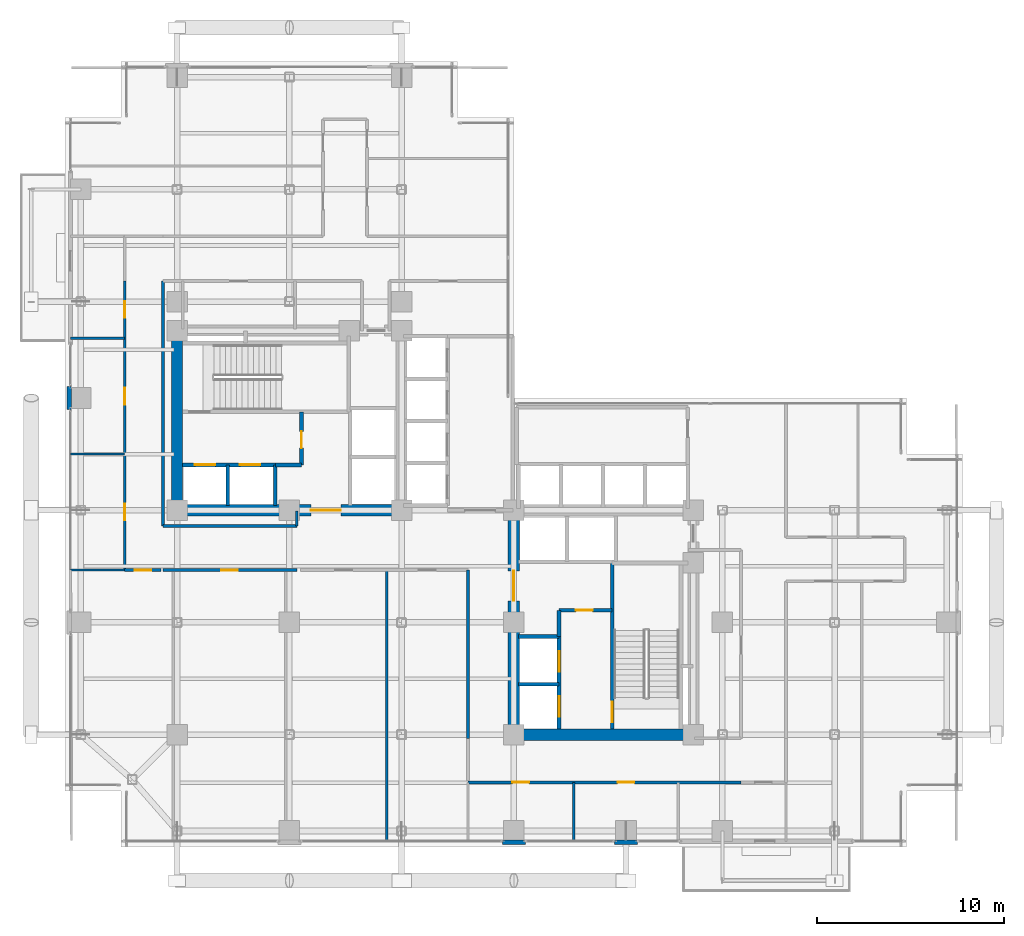
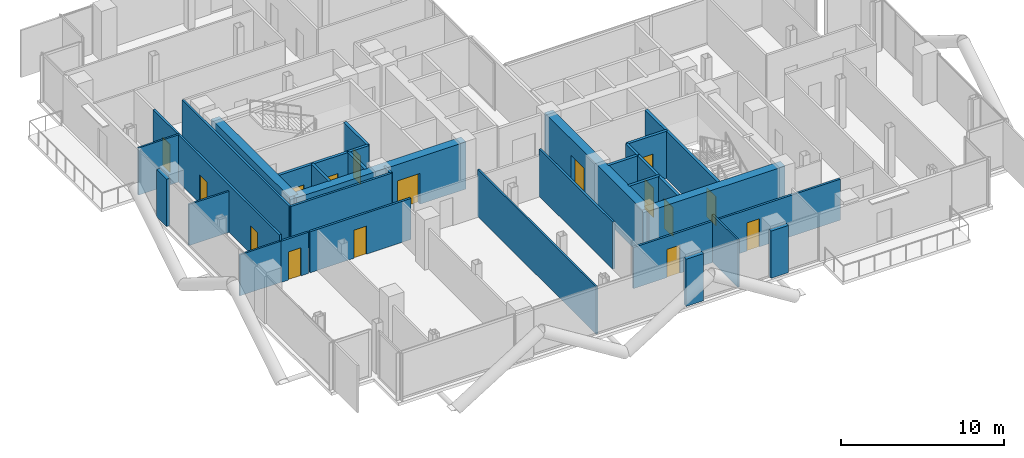
# One storey, part 22 of 28: 31 walls, 16 doors, 16 openings.
"""IFC4 building model written with IfcOpenShell, lengths in metres."""

from ifc_helpers import new_model, si_unit, direction, frame, frame_2d, origin, place, context, subcontext, project, spatial, rectangle, extrude, material, layer, layer_set, type_object, element, fill, save


model = new_model("IFC4")

# Units and contexts
model_context = context("Model", 3, precision=1e-05, world=origin(), true_north=direction((0.0, 1.0)))
body_context = subcontext(model_context, "Body", "Model", "MODEL_VIEW")
ifc_project = project(units=[si_unit("LENGTHUNIT", "METRE"), si_unit("AREAUNIT", "SQUARE_METRE"), si_unit("VOLUMEUNIT", "CUBIC_METRE"), si_unit("PLANEANGLEUNIT", "RADIAN"), si_unit("MASSUNIT", "GRAM", prefix="KILO"), si_unit("THERMODYNAMICTEMPERATUREUNIT", "KELVIN"), si_unit("POWERUNIT", "WATT")], contexts=[model_context])

# Site, building, storey
site_placement = place(None, origin())
site = spatial("IfcSite", under=ifc_project, at=site_placement, CompositionType="ELEMENT")
building_placement = place(site_placement, origin())
building = spatial("IfcBuilding", under=site, at=building_placement, Name="Svarakhadi Broadcast Tower", CompositionType="ELEMENT")
storey_placement = place(building_placement, frame((0.0, 0.0, 103.35009765625)))
storey = spatial("IfcBuildingStorey", under=building, at=storey_placement, Name="L24", CompositionType="ELEMENT", Elevation=103.35009765625)

# Walls
ifc_material_1 = material(Name="Concrete C40/50 (IS 456 M50)", Category="concrete")
ifc_layer_1 = layer(ifc_material_1, 0.239990234375)
ifc_layer_set_1 = layer_set([ifc_layer_1], Name="Concrete C40/50 (IS 456 M50)")
wall_type_1 = type_object("IfcWallType", Name="Wall_Ext_240", PredefinedType="SOLIDWALL", material=ifc_layer_set_1)
for number, where, z_axis, x_axis, name in (
    (1, (0.239990234375, 23.385009765625, 0.0), (0.0, 0.0, 1.0), (0.0, 1.0, 0.0), "L24 Perimeter Bronze Spandrel Closure Wall 02"),
    (2, (30.614990234375, 0.239990234375, 0.0), (0.0, 0.0, 1.0), (-1.0, 0.0, 0.0), "L24 Perimeter Bronze Spandrel Closure Wall 06"),
    (3, (24.614990234375, 0.239990234375, 0.0), (0.0, 0.0, 1.0), (-1.0, 0.0, 0.0), "L24 Perimeter Bronze Spandrel Closure Wall 07"),
):
    element("IfcWall", number, at=place(storey_placement, frame(where, z_axis=z_axis, x_axis=x_axis)), inside=storey, type_object=wall_type_1, Name=name, PredefinedType="SOLIDWALL", context=body_context, shape_type="SweptSolid", body=[
        extrude(rectangle(XDim=1.22998046875, YDim=0.239990234375, at=frame_2d((0.614990234375, 0.0))), origin(), (0.0, 0.0, 1.0), 3.52490234375),
    ])
ifc_material_2 = material(Name="Fire-Rated Moisture-Resistant Gypsum Board Partition", Category="gypsum")
ifc_layer_2 = layer(ifc_material_2, 0.125)
ifc_layer_set_2 = layer_set([ifc_layer_2], Name="Fire-Rated Moisture-Resistant Gypsum Board Partition")
wall_type_2 = type_object("IfcWallType", Name="Wall_Part_125", PredefinedType="PARTITIONING", material=ifc_layer_set_2)
wall_1_placement = place(storey_placement, frame((17.199951171875, 0.300048828125, 0.0), z_axis=(0.0, 0.0, 1.0), x_axis=(0.0, 1.0, 0.0)))
element("IfcWall", 4, at=wall_1_placement, inside=storey, type_object=wall_type_2, Name="L24 Regional Editors Room Wall", PredefinedType="PARTITIONING", context=body_context, shape_type="SweptSolid", body=[
    extrude(rectangle(XDim=14.5, YDim=0.125, at=frame_2d((7.25, 0.0))), origin(), (0.0, 0.0, 1.0), 3.52490234375),
])
for number, where, z_axis, x_axis, name in (
    (5, (0.300048828125, 14.800048828125, 0.0), (0.0, 0.0, 1.0), (1.0, 0.0, 0.0), "L24 Arabian Sea Commentary Booth Wall"),
    (6, (0.300048828125, 21.0, 0.0), (0.0, 0.0, 1.0), (1.0, 0.0, 0.0), "L24 Arabian Sea Commentary Booth Wall"),
):
    element("IfcWall", number, at=place(storey_placement, frame(where, z_axis=z_axis, x_axis=x_axis)), inside=storey, type_object=wall_type_2, Name=name, PredefinedType="PARTITIONING", context=body_context, shape_type="SweptSolid", body=[
        extrude(rectangle(XDim=2.89990234375, YDim=0.125, at=frame_2d((1.449951171875, 0.0))), origin(), (0.0, 0.0, 1.0), 3.06689453125),
    ])
wall_2_placement = place(storey_placement, frame((0.300048828125, 27.199951171875, 0.0), z_axis=(0.0, 0.0, 1.0), x_axis=(1.0, 0.0, 0.0)))
element("IfcWall", 7, at=wall_2_placement, inside=storey, type_object=wall_type_2, Name="L24 Live Translation Studio Wall", PredefinedType="PARTITIONING", context=body_context, shape_type="SweptSolid", body=[
    extrude(rectangle(XDim=2.89990234375, YDim=0.125, at=frame_2d((1.449951171875, 0.0))), origin(), (0.0, 0.0, 1.0), 3.52490234375),
])
wall_3_placement = place(storey_placement, frame((27.199951171875, 0.300048828125, 0.0), z_axis=(0.0, 0.0, 1.0), x_axis=(0.0, 1.0, 0.0)))
element("IfcWall", 8, at=wall_3_placement, inside=storey, type_object=wall_type_2, Name="L24 South Harbour Editorial Desk Wall", PredefinedType="PARTITIONING", context=body_context, shape_type="SweptSolid", body=[
    extrude(rectangle(XDim=3.14990234375, YDim=0.125, at=frame_2d((1.574951171875, 0.0))), origin(), (0.0, 0.0, 1.0), 3.52490234375),
])

# Wall, openings, doors
ifc_material_3 = material(Name="Autoclaved Aerated Concrete Blockwork 150 mm", Category="masonry")
ifc_layer_3 = layer(ifc_material_3, 0.14990234375)
ifc_layer_set_3 = layer_set([ifc_layer_3], Name="Autoclaved Aerated Concrete Blockwork 150 mm")
wall_type_3 = type_object("IfcWallType", Name="Wall_Part_150", PredefinedType="PARTITIONING", material=ifc_layer_set_3)
wall_4_placement = place(storey_placement, frame((36.14990234375, 3.449951171875, 0.0), z_axis=(0.0, 0.0, 1.0), x_axis=(-1.0, 0.0, 0.0)))
wall_4 = element("IfcWall", 9, at=wall_4_placement, inside=storey, type_object=wall_type_3, Name="L24 Broadcast Corridor Wall", PredefinedType="PARTITIONING", context=body_context, shape_type="SweptSolid", body=[
    extrude(rectangle(XDim=14.599853515625, YDim=0.14990234375, at=frame_2d((7.2998046875, 0.0))), origin(), (0.0, 0.0, 1.0), 3.06689453125),
])
opening_1_placement = place(wall_4_placement, frame((11.324951171875, 0.0, 0.0)))
opening_1 = element("IfcOpeningElement", 10, at=opening_1_placement, cuts=wall_4, Name="Opening D-15", PredefinedType="OPENING", context=body_context, shape_type="SweptSolid", body=[
    extrude(rectangle(XDim=0.89990234375, YDim=2.10009765625, at=frame_2d((0.449951171875, 1.050048828125))), frame((0.0, 0.0849609375, 0.0), z_axis=(0.0, -1.0, 0.0), x_axis=(1.0, 0.0, 0.0)), (0.0, 0.0, 1.0), 0.169921875),
])
opening_2_placement = place(wall_4_placement, frame((5.699951171875, 0.0, 0.0)))
opening_2 = element("IfcOpeningElement", 11, at=opening_2_placement, cuts=wall_4, Name="Opening D-14", PredefinedType="OPENING", context=body_context, shape_type="SweptSolid", body=[
    extrude(rectangle(XDim=0.89990234375, YDim=2.10009765625, at=frame_2d((0.449951171875, 1.050048828125))), frame((0.0, 0.0849609375, 0.0), z_axis=(0.0, -1.0, 0.0), x_axis=(1.0, 0.0, 0.0)), (0.0, 0.0, 1.0), 0.169921875),
])
ifc_material_4 = material(Name="Solid-Core Teak Veneer Acoustic Timber Leaf", Category="wood")
door_type_1 = type_object("IfcDoorType", Name="Door_Int_D14", OperationType="SINGLE_SWING_LEFT", PredefinedType="DOOR", material=ifc_material_4)
door_1_placement = place(opening_2_placement, origin())
door_1 = element("IfcDoor", 12, at=door_1_placement, inside=storey, type_object=door_type_1, Name="L24 Media Legal Review Office Door", OperationType="SINGLE_SWING_LEFT", OverallHeight=2.10009765625, OverallWidth=0.89990234375, PredefinedType="DOOR", context=body_context, shape_type="SweptSolid", body=[
    extrude(rectangle(XDim=0.89990234375, YDim=2.10009765625, at=frame_2d((0.449951171875, 1.050048828125))), frame((0.0, 0.02490234375, 0.0), z_axis=(0.0, -1.0, 0.0), x_axis=(1.0, 0.0, 0.0)), (0.0, 0.0, 1.0), 0.050048828125),
])
fill(opening_2, door_1)
door_type_2 = type_object("IfcDoorType", Name="Door_Int_D15", OperationType="SINGLE_SWING_RIGHT", PredefinedType="DOOR", material=ifc_material_4)
door_2_placement = place(opening_1_placement, origin())
door_2 = element("IfcDoor", 13, at=door_2_placement, inside=storey, type_object=door_type_2, Name="L24 South Harbour Editorial Desk Door", OperationType="SINGLE_SWING_RIGHT", OverallHeight=2.10009765625, OverallWidth=0.89990234375, PredefinedType="DOOR", context=body_context, shape_type="SweptSolid", body=[
    extrude(rectangle(XDim=0.89990234375, YDim=2.10009765625, at=frame_2d((0.449951171875, 1.050048828125))), frame((0.0, 0.02490234375, 0.0), z_axis=(0.0, -1.0, 0.0), x_axis=(1.0, 0.0, 0.0)), (0.0, 0.0, 1.0), 0.050048828125),
])
fill(opening_1, door_2)

# Wall
wall_5_placement = place(storey_placement, frame((21.550048828125, 5.800048828125, 0.0), z_axis=(0.0, 0.0, 1.0), x_axis=(0.0, 1.0, 0.0)))
element("IfcWall", 14, at=wall_5_placement, inside=storey, type_object=wall_type_3, Name="L24 Broadcast Corridor Wall", PredefinedType="PARTITIONING", context=body_context, shape_type="SweptSolid", body=[
    extrude(rectangle(XDim=9.0, YDim=0.14990234375, at=frame_2d((4.5, 0.0))), origin(), (0.0, 0.0, 1.0), 3.52490234375),
])

# Wall, opening, door
wall_6_placement = place(storey_placement, frame((12.39990234375, 14.800048828125, 0.0), z_axis=(0.0, 0.0, 1.0), x_axis=(-1.0, 0.0, 0.0)))
wall_6 = element("IfcWall", 15, at=wall_6_placement, inside=storey, type_object=wall_type_3, Name="L24 Broadcast Corridor Wall", PredefinedType="PARTITIONING", context=body_context, shape_type="SweptSolid", body=[
    extrude(rectangle(XDim=7.14990234375, YDim=0.14990234375, at=frame_2d((3.574951171875, 0.0))), origin(), (0.0, 0.0, 1.0), 3.06689453125),
])
opening_3_placement = place(wall_6_placement, frame((3.14990234375, 0.0, 0.0)))
opening_3 = element("IfcOpeningElement", 16, at=opening_3_placement, cuts=wall_6, Name="Opening D-15", PredefinedType="OPENING", context=body_context, shape_type="SweptSolid", body=[
    extrude(rectangle(XDim=0.89990234375, YDim=2.10009765625, at=frame_2d((0.449951171875, 1.050048828125))), frame((0.0, 0.0849609375, 0.0), z_axis=(0.0, -1.0, 0.0), x_axis=(1.0, 0.0, 0.0)), (0.0, 0.0, 1.0), 0.169921875),
])
door_3_placement = place(opening_3_placement, origin())
door_3 = element("IfcDoor", 17, at=door_3_placement, inside=storey, type_object=door_type_2, Name="L24 Konkani Cultural Broadcast Office Door", OperationType="SINGLE_SWING_RIGHT", OverallHeight=2.10009765625, OverallWidth=0.89990234375, PredefinedType="DOOR", context=body_context, shape_type="SweptSolid", body=[
    extrude(rectangle(XDim=0.89990234375, YDim=2.10009765625, at=frame_2d((0.449951171875, 1.050048828125))), frame((0.0, 0.02490234375, 0.0), z_axis=(0.0, -1.0, 0.0), x_axis=(1.0, 0.0, 0.0)), (0.0, 0.0, 1.0), 0.050048828125),
])
fill(opening_3, door_3)

wall_7_placement = place(storey_placement, frame((5.14990234375, 14.800048828125, 0.0), z_axis=(0.0, 0.0, 1.0), x_axis=(-1.0, 0.0, 0.0)))
wall_7 = element("IfcWall", 18, at=wall_7_placement, inside=storey, type_object=wall_type_3, Name="L24 Broadcast Corridor Wall", PredefinedType="PARTITIONING", context=body_context, shape_type="SweptSolid", body=[
    extrude(rectangle(XDim=1.949951171875, YDim=0.14990234375, at=frame_2d((0.97509765625, 0.0))), origin(), (0.0, 0.0, 1.0), 3.06689453125),
])
opening_4_placement = place(wall_7_placement, frame((0.52490234375, 0.0, 0.0)))
opening_4 = element("IfcOpeningElement", 19, at=opening_4_placement, cuts=wall_7, Name="Opening D-14", PredefinedType="OPENING", context=body_context, shape_type="SweptSolid", body=[
    extrude(rectangle(XDim=0.89990234375, YDim=2.10009765625, at=frame_2d((0.449951171875, 1.050048828125))), frame((0.0, 0.0849609375, 0.0), z_axis=(0.0, -1.0, 0.0), x_axis=(1.0, 0.0, 0.0)), (0.0, 0.0, 1.0), 0.169921875),
])
door_4_placement = place(opening_4_placement, origin())
door_4 = element("IfcDoor", 20, at=door_4_placement, inside=storey, type_object=door_type_1, Name="L24 Marathi Regional News Desk Door", OperationType="SINGLE_SWING_LEFT", OverallHeight=2.10009765625, OverallWidth=0.89990234375, PredefinedType="DOOR", context=body_context, shape_type="SweptSolid", body=[
    extrude(rectangle(XDim=0.89990234375, YDim=2.10009765625, at=frame_2d((0.449951171875, 1.050048828125))), frame((0.0, 0.02490234375, 0.0), z_axis=(0.0, -1.0, 0.0), x_axis=(1.0, 0.0, 0.0)), (0.0, 0.0, 1.0), 0.050048828125),
])
fill(opening_4, door_4)

# Wall, openings, doors
wall_8_placement = place(storey_placement, frame((3.199951171875, 14.800048828125, 0.0), z_axis=(0.0, 0.0, 1.0), x_axis=(0.0, 1.0, 0.0)))
wall_8 = element("IfcWall", 21, at=wall_8_placement, inside=storey, type_object=wall_type_3, Name="L24 Broadcast Corridor Wall", PredefinedType="PARTITIONING", context=body_context, shape_type="SweptSolid", body=[
    extrude(rectangle(XDim=15.449951171875, YDim=0.14990234375, at=frame_2d((7.72509765625, 0.0))), origin(), (0.0, 0.0, 1.0), 3.52490234375),
])
opening_5_placement = place(wall_8_placement, frame((2.64990234375, 0.0, 0.0)))
opening_5 = element("IfcOpeningElement", 22, at=opening_5_placement, cuts=wall_8, Name="Opening D-15", PredefinedType="OPENING", context=body_context, shape_type="SweptSolid", body=[
    extrude(rectangle(XDim=0.89990234375, YDim=2.10009765625, at=frame_2d((0.449951171875, 1.050048828125))), frame((0.0, 0.0849609375, 0.0), z_axis=(0.0, -1.0, 0.0), x_axis=(1.0, 0.0, 0.0)), (0.0, 0.0, 1.0), 0.169921875),
])
opening_6_placement = place(wall_8_placement, frame((8.85009765625, 0.0, 0.0)))
opening_6 = element("IfcOpeningElement", 23, at=opening_6_placement, cuts=wall_8, Name="Opening D-14", PredefinedType="OPENING", context=body_context, shape_type="SweptSolid", body=[
    extrude(rectangle(XDim=0.89990234375, YDim=2.10009765625, at=frame_2d((0.449951171875, 1.050048828125))), frame((0.0, 0.0849609375, 0.0), z_axis=(0.0, -1.0, 0.0), x_axis=(1.0, 0.0, 0.0)), (0.0, 0.0, 1.0), 0.169921875),
])
opening_7_placement = place(wall_8_placement, frame((13.47509765625, 0.0, 0.0)))
opening_7 = element("IfcOpeningElement", 24, at=opening_7_placement, cuts=wall_8, Name="Opening D-15", PredefinedType="OPENING", context=body_context, shape_type="SweptSolid", body=[
    extrude(rectangle(XDim=0.89990234375, YDim=2.10009765625, at=frame_2d((0.449951171875, 1.050048828125))), frame((0.0, 0.0849609375, 0.0), z_axis=(0.0, -1.0, 0.0), x_axis=(1.0, 0.0, 0.0)), (0.0, 0.0, 1.0), 0.169921875),
])
door_5_placement = place(opening_6_placement, origin())
door_5 = element("IfcDoor", 25, at=door_5_placement, inside=storey, type_object=door_type_1, Name="L24 Live Translation Studio Door", OperationType="SINGLE_SWING_LEFT", OverallHeight=2.10009765625, OverallWidth=0.89990234375, PredefinedType="DOOR", context=body_context, shape_type="SweptSolid", body=[
    extrude(rectangle(XDim=0.89990234375, YDim=2.10009765625, at=frame_2d((0.449951171875, 1.050048828125))), frame((0.0, 0.02490234375, 0.0), z_axis=(0.0, -1.0, 0.0), x_axis=(1.0, 0.0, 0.0)), (0.0, 0.0, 1.0), 0.050048828125),
])
fill(opening_6, door_5)
door_6_placement = place(opening_5_placement, origin())
door_6 = element("IfcDoor", 26, at=door_6_placement, inside=storey, type_object=door_type_2, Name="L24 Arabian Sea Commentary Booth Door", OperationType="SINGLE_SWING_RIGHT", OverallHeight=2.10009765625, OverallWidth=0.89990234375, PredefinedType="DOOR", context=body_context, shape_type="SweptSolid", body=[
    extrude(rectangle(XDim=0.89990234375, YDim=2.10009765625, at=frame_2d((0.449951171875, 1.050048828125))), frame((0.0, 0.02490234375, 0.0), z_axis=(0.0, -1.0, 0.0), x_axis=(1.0, 0.0, 0.0)), (0.0, 0.0, 1.0), 0.050048828125),
])
fill(opening_5, door_6)
door_7_placement = place(opening_7_placement, origin())
door_7 = element("IfcDoor", 27, at=door_7_placement, inside=storey, type_object=door_type_2, Name="L24 Producer Quiet Lounge Door", OperationType="SINGLE_SWING_RIGHT", OverallHeight=2.10009765625, OverallWidth=0.89990234375, PredefinedType="DOOR", context=body_context, shape_type="SweptSolid", body=[
    extrude(rectangle(XDim=0.89990234375, YDim=2.10009765625, at=frame_2d((0.449951171875, 1.050048828125))), frame((0.0, 0.02490234375, 0.0), z_axis=(0.0, -1.0, 0.0), x_axis=(1.0, 0.0, 0.0)), (0.0, 0.0, 1.0), 0.050048828125),
])
fill(opening_7, door_7)

# Walls
wall_9_placement = place(storey_placement, frame((5.25, 30.25, 0.0), z_axis=(0.0, 0.0, 1.0), x_axis=(0.0, -1.0, 0.0)))
element("IfcWall", 28, at=wall_9_placement, inside=storey, type_object=wall_type_3, Name="L24 Broadcast Corridor Wall", PredefinedType="PARTITIONING", context=body_context, shape_type="SweptSolid", body=[
    extrude(rectangle(XDim=13.10009765625, YDim=0.14990234375, at=frame_2d((6.550048828125, 0.0))), origin(), (0.0, 0.0, 1.0), 3.52490234375),
])
wall_10_placement = place(storey_placement, frame((5.25, 17.14990234375, 0.0), z_axis=(0.0, 0.0, 1.0), x_axis=(1.0, 0.0, 0.0)))
element("IfcWall", 29, at=wall_10_placement, inside=storey, type_object=wall_type_3, Name="L24 Broadcast Corridor Wall", PredefinedType="PARTITIONING", context=body_context, shape_type="SweptSolid", body=[
    extrude(rectangle(XDim=7.14990234375, YDim=0.14990234375, at=frame_2d((3.574951171875, 0.0))), origin(), (0.0, 0.0, 1.0), 3.52490234375),
])
wall_11_placement = place(storey_placement, frame((12.39990234375, 17.14990234375, 0.0), z_axis=(0.0, 0.0, 1.0), x_axis=(0.0, 1.0, 0.0)))
element("IfcWall", 30, at=wall_11_placement, inside=storey, type_object=wall_type_3, Name="L24 Broadcast Corridor Wall", PredefinedType="PARTITIONING", context=body_context, shape_type="SweptSolid", body=[
    extrude(rectangle(XDim=0.800048828125, YDim=0.14990234375, at=frame_2d((0.39990234375, 0.0))), origin(), (0.0, 0.0, 1.0), 3.52490234375),
])

# Wall, opening, door
ifc_material_5 = material(Name="Concrete C50/60 (IS 456 M60)", Category="concrete")
ifc_layer_4 = layer(ifc_material_5, 0.199951171875)
ifc_layer_set_4 = layer_set([ifc_layer_4], Name="Concrete C50/60 (IS 456 M60)")
wall_type_4 = type_object("IfcWallType", Name="Wall_Shear_200", PredefinedType="SHEAR", material=ifc_layer_set_4)
wall_12_placement = place(storey_placement, frame((29.260009765625, 6.300048828125, 0.0), z_axis=(0.0, 0.0, 1.0), x_axis=(0.0, 1.0, 0.0)))
wall_12 = element("IfcWall", 31, at=wall_12_placement, inside=storey, type_object=wall_type_4, Name="L24 Stair ST-02 West RC Shaft Wall", PredefinedType="SHEAR", context=body_context, shape_type="SweptSolid", body=[
    extrude(rectangle(XDim=8.8798828125, YDim=0.199951171875, at=frame_2d((4.43994140625, 0.0))), origin(), (0.0, 0.0, 1.0), 3.52490234375),
])
opening_8_placement = place(wall_12_placement, frame((0.35009765625, 0.0, 0.0)))
opening_8 = element("IfcOpeningElement", 32, at=opening_8_placement, cuts=wall_12, Name="Opening D-02", PredefinedType="OPENING", context=body_context, shape_type="SweptSolid", body=[
    extrude(rectangle(XDim=1.10009765625, YDim=2.199951171875, at=frame_2d((0.550048828125, 1.10009765625))), frame((0.0, 0.10986328125, 0.0), z_axis=(0.0, -1.0, 0.0), x_axis=(1.0, 0.0, 0.0)), (0.0, 0.0, 1.0), 0.219970703125),
])
ifc_material_6 = material(Name="Galvanised Powder-Coated Fire-Rated Steel Leaf", Category="steel")
door_type_3 = type_object("IfcDoorType", Name="Door_Stair_D02", OperationType="SINGLE_SWING_RIGHT", PredefinedType="DOOR", material=ifc_material_6)
door_8_placement = place(opening_8_placement, origin())
door_8 = element("IfcDoor", 33, at=door_8_placement, inside=storey, type_object=door_type_3, Name="L24 Protected Exit Stair ST-02 Fire Door", OperationType="SINGLE_SWING_RIGHT", OverallHeight=2.199951171875, OverallWidth=1.10009765625, PredefinedType="DOOR", context=body_context, shape_type="SweptSolid", body=[
    extrude(rectangle(XDim=1.10009765625, YDim=2.199951171875, at=frame_2d((0.550048828125, 1.10009765625))), frame((0.0, 0.02490234375, 0.0), z_axis=(0.0, -1.0, 0.0), x_axis=(1.0, 0.0, 0.0)), (0.0, 0.0, 1.0), 0.050048828125),
])
fill(opening_8, door_8)

# Wall, openings, doors
wall_13_placement = place(storey_placement, frame((6.300048828125, 20.419921875, 0.0), z_axis=(0.0, 0.0, 1.0), x_axis=(1.0, 0.0, 0.0)))
wall_13 = element("IfcWall", 34, at=wall_13_placement, inside=storey, type_object=wall_type_4, Name="L24 Firefighting Lift LF-01/02 Shaft Wall", PredefinedType="SHEAR", context=body_context, shape_type="SweptSolid", body=[
    extrude(rectangle(XDim=4.949951171875, YDim=0.199951171875, at=frame_2d((2.47509765625, 0.0))), origin(), (0.0, 0.0, 1.0), 3.52490234375),
])
opening_9_placement = place(wall_13_placement, frame((0.64990234375, 0.0, 0.0)))
opening_9 = element("IfcOpeningElement", 35, at=opening_9_placement, cuts=wall_13, Name="Opening LD-01", PredefinedType="OPENING", context=body_context, shape_type="SweptSolid", body=[
    extrude(rectangle(XDim=1.10009765625, YDim=2.199951171875, at=frame_2d((0.550048828125, 1.10009765625))), frame((0.0, 0.10986328125, 0.0), z_axis=(0.0, -1.0, 0.0), x_axis=(1.0, 0.0, 0.0)), (0.0, 0.0, 1.0), 0.219970703125),
])
opening_10_placement = place(wall_13_placement, frame((3.050048828125, 0.0, 0.0)))
opening_10 = element("IfcOpeningElement", 36, at=opening_10_placement, cuts=wall_13, Name="Opening LD-01", PredefinedType="OPENING", context=body_context, shape_type="SweptSolid", body=[
    extrude(rectangle(XDim=1.10009765625, YDim=2.199951171875, at=frame_2d((0.550048828125, 1.10009765625))), frame((0.0, 0.10986328125, 0.0), z_axis=(0.0, -1.0, 0.0), x_axis=(1.0, 0.0, 0.0)), (0.0, 0.0, 1.0), 0.219970703125),
])
door_type_4 = type_object("IfcDoorType", Name="Door_Lift_LD01", OperationType="SLIDING_TO_LEFT", PredefinedType="DOOR", material=ifc_material_6)
door_9_placement = place(opening_9_placement, origin())
door_9 = element("IfcDoor", 37, at=door_9_placement, inside=storey, type_object=door_type_4, Name="L24 Firefighting Lift LF-01 Landing Door", OperationType="SLIDING_TO_LEFT", OverallHeight=2.199951171875, OverallWidth=1.10009765625, PredefinedType="DOOR", context=body_context, shape_type="SweptSolid", body=[
    extrude(rectangle(XDim=1.10009765625, YDim=2.199951171875, at=frame_2d((0.550048828125, 1.10009765625))), frame((0.0, 0.02490234375, 0.0), z_axis=(0.0, -1.0, 0.0), x_axis=(1.0, 0.0, 0.0)), (0.0, 0.0, 1.0), 0.050048828125),
])
fill(opening_9, door_9)
door_10_placement = place(opening_10_placement, origin())
door_10 = element("IfcDoor", 38, at=door_10_placement, inside=storey, type_object=door_type_4, Name="L24 Firefighting Lift LF-02 Landing Door", OperationType="SLIDING_TO_LEFT", OverallHeight=2.199951171875, OverallWidth=1.10009765625, PredefinedType="DOOR", context=body_context, shape_type="SweptSolid", body=[
    extrude(rectangle(XDim=1.10009765625, YDim=2.199951171875, at=frame_2d((0.550048828125, 1.10009765625))), frame((0.0, 0.02490234375, 0.0), z_axis=(0.0, -1.0, 0.0), x_axis=(1.0, 0.0, 0.0)), (0.0, 0.0, 1.0), 0.050048828125),
])
fill(opening_10, door_10)

# Walls
for number, where, z_axis, x_axis, name in (
    (39, (8.699951171875, 18.25, 0.0), (0.0, 0.0, 1.0), (0.0, 1.0, 0.0), "L24 Firefighting Lift LF-01/02 Divider Wall"),
    (40, (11.25, 18.25, 0.0), (0.0, 0.0, 1.0), (0.0, 1.0, 0.0), "L24 Firefighting Lift LF-02 East Wall"),
):
    element("IfcWall", number, at=place(storey_placement, frame(where, z_axis=z_axis, x_axis=x_axis)), inside=storey, type_object=wall_type_4, Name=name, PredefinedType="SHEAR", context=body_context, shape_type="SweptSolid", body=[
        extrude(rectangle(XDim=2.169921875, YDim=0.199951171875, at=frame_2d((1.0849609375, 0.0))), origin(), (0.0, 0.0, 1.0), 3.52490234375),
    ])
wall_14_placement = place(storey_placement, frame((11.25, 20.419921875, 0.0), z_axis=(0.0, 0.0, 1.0), x_axis=(1.0, 0.0, 0.0)))
element("IfcWall", 41, at=wall_14_placement, inside=storey, type_object=wall_type_4, Name="L24 West Firefighting Lobby South Wall", PredefinedType="SHEAR", context=body_context, shape_type="SweptSolid", body=[
    extrude(rectangle(XDim=1.39990234375, YDim=0.199951171875, at=frame_2d((0.699951171875, 0.0))), origin(), (0.0, 0.0, 1.0), 3.52490234375),
])

# Wall, opening, door
wall_15_placement = place(storey_placement, frame((12.64990234375, 20.419921875, 0.0), z_axis=(0.0, 0.0, 1.0), x_axis=(0.0, 1.0, 0.0)))
wall_15 = element("IfcWall", 42, at=wall_15_placement, inside=storey, type_object=wall_type_4, Name="L24 West Firefighting Lobby East Wall", PredefinedType="SHEAR", context=body_context, shape_type="SweptSolid", body=[
    extrude(rectangle(XDim=2.840087890625, YDim=0.199951171875, at=frame_2d((1.419921875, 0.0))), origin(), (0.0, 0.0, 1.0), 3.52490234375),
])
opening_11_placement = place(wall_15_placement, frame((0.89990234375, 0.0, 0.0)))
opening_11 = element("IfcOpeningElement", 43, at=opening_11_placement, cuts=wall_15, Name="Opening D-04", PredefinedType="OPENING", context=body_context, shape_type="SweptSolid", body=[
    extrude(rectangle(XDim=0.89990234375, YDim=2.14990234375, at=frame_2d((0.449951171875, 1.074951171875))), frame((0.0, 0.10986328125, 0.0), z_axis=(0.0, -1.0, 0.0), x_axis=(1.0, 0.0, 0.0)), (0.0, 0.0, 1.0), 0.219970703125),
])
door_type_5 = type_object("IfcDoorType", Name="Door_Fire_D04", OperationType="SINGLE_SWING_RIGHT", PredefinedType="DOOR", material=ifc_material_6)
door_11_placement = place(opening_11_placement, origin())
door_11 = element("IfcDoor", 44, at=door_11_placement, inside=storey, type_object=door_type_5, Name="L24 West Firefighting Lobby Fire Door", OperationType="SINGLE_SWING_RIGHT", OverallHeight=2.14990234375, OverallWidth=0.89990234375, PredefinedType="DOOR", context=body_context, shape_type="SweptSolid", body=[
    extrude(rectangle(XDim=0.89990234375, YDim=2.14990234375, at=frame_2d((0.449951171875, 1.074951171875))), frame((0.0, 0.02490234375, 0.0), z_axis=(0.0, -1.0, 0.0), x_axis=(1.0, 0.0, 0.0)), (0.0, 0.0, 1.0), 0.050048828125),
])
fill(opening_11, door_11)

# Wall, openings, doors
wall_16_placement = place(storey_placement, frame((26.419921875, 6.300048828125, 0.0), z_axis=(0.0, 0.0, 1.0), x_axis=(0.0, 1.0, 0.0)))
wall_16 = element("IfcWall", 45, at=wall_16_placement, inside=storey, type_object=wall_type_4, Name="L24 Firefighting Lift LF-03/04 Shaft Wall", PredefinedType="SHEAR", context=body_context, shape_type="SweptSolid", body=[
    extrude(rectangle(XDim=4.949951171875, YDim=0.199951171875, at=frame_2d((2.47509765625, 0.0))), origin(), (0.0, 0.0, 1.0), 3.52490234375),
])
opening_12_placement = place(wall_16_placement, frame((0.64990234375, 0.0, 0.0)))
opening_12 = element("IfcOpeningElement", 46, at=opening_12_placement, cuts=wall_16, Name="Opening LD-01", PredefinedType="OPENING", context=body_context, shape_type="SweptSolid", body=[
    extrude(rectangle(XDim=1.10009765625, YDim=2.199951171875, at=frame_2d((0.550048828125, 1.10009765625))), frame((0.0, 0.10986328125, 0.0), z_axis=(0.0, -1.0, 0.0), x_axis=(1.0, 0.0, 0.0)), (0.0, 0.0, 1.0), 0.219970703125),
])
opening_13_placement = place(wall_16_placement, frame((3.050048828125, 0.0, 0.0)))
opening_13 = element("IfcOpeningElement", 47, at=opening_13_placement, cuts=wall_16, Name="Opening LD-01", PredefinedType="OPENING", context=body_context, shape_type="SweptSolid", body=[
    extrude(rectangle(XDim=1.10009765625, YDim=2.199951171875, at=frame_2d((0.550048828125, 1.10009765625))), frame((0.0, 0.10986328125, 0.0), z_axis=(0.0, -1.0, 0.0), x_axis=(1.0, 0.0, 0.0)), (0.0, 0.0, 1.0), 0.219970703125),
])
door_12_placement = place(opening_12_placement, origin())
door_12 = element("IfcDoor", 48, at=door_12_placement, inside=storey, type_object=door_type_4, Name="L24 Firefighting Lift LF-03 Landing Door", OperationType="SLIDING_TO_LEFT", OverallHeight=2.199951171875, OverallWidth=1.10009765625, PredefinedType="DOOR", context=body_context, shape_type="SweptSolid", body=[
    extrude(rectangle(XDim=1.10009765625, YDim=2.199951171875, at=frame_2d((0.550048828125, 1.10009765625))), frame((0.0, 0.02490234375, 0.0), z_axis=(0.0, -1.0, 0.0), x_axis=(1.0, 0.0, 0.0)), (0.0, 0.0, 1.0), 0.050048828125),
])
fill(opening_12, door_12)
door_13_placement = place(opening_13_placement, origin())
door_13 = element("IfcDoor", 49, at=door_13_placement, inside=storey, type_object=door_type_4, Name="L24 Firefighting Lift LF-04 Landing Door", OperationType="SLIDING_TO_LEFT", OverallHeight=2.199951171875, OverallWidth=1.10009765625, PredefinedType="DOOR", context=body_context, shape_type="SweptSolid", body=[
    extrude(rectangle(XDim=1.10009765625, YDim=2.199951171875, at=frame_2d((0.550048828125, 1.10009765625))), frame((0.0, 0.02490234375, 0.0), z_axis=(0.0, -1.0, 0.0), x_axis=(1.0, 0.0, 0.0)), (0.0, 0.0, 1.0), 0.050048828125),
])
fill(opening_13, door_13)

# Walls
for number, where, z_axis, x_axis, name in (
    (50, (24.25, 8.699951171875, 0.0), (0.0, 0.0, 1.0), (1.0, 0.0, 0.0), "L24 Firefighting Lift LF-03/04 Divider Wall"),
    (51, (24.25, 11.25, 0.0), (0.0, 0.0, 1.0), (1.0, 0.0, 0.0), "L24 Firefighting Lift LF-04 North Wall"),
):
    element("IfcWall", number, at=place(storey_placement, frame(where, z_axis=z_axis, x_axis=x_axis)), inside=storey, type_object=wall_type_4, Name=name, PredefinedType="SHEAR", context=body_context, shape_type="SweptSolid", body=[
        extrude(rectangle(XDim=2.169921875, YDim=0.199951171875, at=frame_2d((1.0849609375, 0.0))), origin(), (0.0, 0.0, 1.0), 3.52490234375),
    ])
wall_17_placement = place(storey_placement, frame((26.419921875, 11.25, 0.0), z_axis=(0.0, 0.0, 1.0), x_axis=(0.0, 1.0, 0.0)))
element("IfcWall", 52, at=wall_17_placement, inside=storey, type_object=wall_type_4, Name="L24 East Firefighting Lobby West Wall", PredefinedType="SHEAR", context=body_context, shape_type="SweptSolid", body=[
    extrude(rectangle(XDim=1.39990234375, YDim=0.199951171875, at=frame_2d((0.699951171875, 0.0))), origin(), (0.0, 0.0, 1.0), 3.52490234375),
])

# Wall, opening, door
wall_18_placement = place(storey_placement, frame((26.419921875, 12.64990234375, 0.0), z_axis=(0.0, 0.0, 1.0), x_axis=(1.0, 0.0, 0.0)))
wall_18 = element("IfcWall", 53, at=wall_18_placement, inside=storey, type_object=wall_type_4, Name="L24 East Firefighting Lobby North Wall", PredefinedType="SHEAR", context=body_context, shape_type="SweptSolid", body=[
    extrude(rectangle(XDim=2.840087890625, YDim=0.199951171875, at=frame_2d((1.419921875, 0.0))), origin(), (0.0, 0.0, 1.0), 3.52490234375),
])
opening_14_placement = place(wall_18_placement, frame((0.89990234375, 0.0, 0.0)))
opening_14 = element("IfcOpeningElement", 54, at=opening_14_placement, cuts=wall_18, Name="Opening D-03", PredefinedType="OPENING", context=body_context, shape_type="SweptSolid", body=[
    extrude(rectangle(XDim=0.89990234375, YDim=2.14990234375, at=frame_2d((0.449951171875, 1.074951171875))), frame((0.0, 0.10986328125, 0.0), z_axis=(0.0, -1.0, 0.0), x_axis=(1.0, 0.0, 0.0)), (0.0, 0.0, 1.0), 0.219970703125),
])
door_type_6 = type_object("IfcDoorType", Name="Door_Fire_D03", OperationType="SINGLE_SWING_LEFT", PredefinedType="DOOR", material=ifc_material_6)
door_14_placement = place(opening_14_placement, origin())
door_14 = element("IfcDoor", 55, at=door_14_placement, inside=storey, type_object=door_type_6, Name="L24 East Firefighting Lobby Fire Door", OperationType="SINGLE_SWING_LEFT", OverallHeight=2.14990234375, OverallWidth=0.89990234375, PredefinedType="DOOR", context=body_context, shape_type="SweptSolid", body=[
    extrude(rectangle(XDim=0.89990234375, YDim=2.14990234375, at=frame_2d((0.449951171875, 1.074951171875))), frame((0.0, 0.02490234375, 0.0), z_axis=(0.0, -1.0, 0.0), x_axis=(1.0, 0.0, 0.0)), (0.0, 0.0, 1.0), 0.050048828125),
])
fill(opening_14, door_14)

ifc_material_7 = material(Name="Concrete C60/75 (IS 456 M70)", Category="concrete")
ifc_layer_5 = layer(ifc_material_7, 0.60009765625)
ifc_layer_set_5 = layer_set([ifc_layer_5], Name="Concrete C60/75 (IS 456 M70)")
wall_type_5 = type_object("IfcWallType", Name="Wall_Shear_600", PredefinedType="SHEAR", material=ifc_layer_set_5)
wall_19_placement = place(storey_placement, frame((6.0, 18.0, 0.0), z_axis=(0.0, 0.0, 1.0), x_axis=(1.0, 0.0, 0.0)))
wall_19 = element("IfcWall", 56, at=wall_19_placement, inside=storey, type_object=wall_type_5, Name="L24 West Core South Shear Wall", PredefinedType="SHEAR", context=body_context, shape_type="SweptSolid", body=[
    extrude(rectangle(XDim=12.0, YDim=0.60009765625, at=frame_2d((6.0, 0.0))), origin(), (0.0, 0.0, 1.0), 3.52490234375),
])
opening_15_placement = place(wall_19_placement, frame((7.14990234375, 0.0, 0.0)))
opening_15 = element("IfcOpeningElement", 57, at=opening_15_placement, cuts=wall_19, Name="Opening D-05", PredefinedType="OPENING", context=body_context, shape_type="SweptSolid", body=[
    extrude(rectangle(XDim=1.60009765625, YDim=2.300048828125, at=frame_2d((0.800048828125, 1.14990234375))), frame((0.0, 0.31005859375, 0.0), z_axis=(0.0, -1.0, 0.0), x_axis=(1.0, 0.0, 0.0)), (0.0, 0.0, 1.0), 0.6201171875),
])
ifc_material_8 = material(Name="Anodised Bronze Aluminium AA 6063-T6", Category="aluminium")
door_type_7 = type_object("IfcDoorType", Name="Door_Lobby_D05", OperationType="DOUBLE_DOOR_SLIDING", PredefinedType="DOOR", material=ifc_material_8)
door_15_placement = place(opening_15_placement, origin())
door_15 = element("IfcDoor", 58, at=door_15_placement, inside=storey, type_object=door_type_7, Name="L24 West Core Passenger Lift Lobby Entrance Door", OperationType="DOUBLE_DOOR_SLIDING", OverallHeight=2.300048828125, OverallWidth=1.60009765625, PredefinedType="DOOR", context=body_context, shape_type="SweptSolid", body=[
    extrude(rectangle(XDim=1.60009765625, YDim=2.300048828125, at=frame_2d((0.800048828125, 1.14990234375))), frame((0.0, 0.02490234375, 0.0), z_axis=(0.0, -1.0, 0.0), x_axis=(1.0, 0.0, 0.0)), (0.0, 0.0, 1.0), 0.050048828125),
])
fill(opening_15, door_15)

# Walls
for number, where, z_axis, x_axis, name in (
    (59, (6.0, 18.0, 0.0), (0.0, 0.0, 1.0), (0.0, 1.0, 0.0), "L24 West Core West Shear Wall"),
    (60, (24.0, 6.0, 0.0), (0.0, 0.0, 1.0), (1.0, 0.0, 0.0), "L24 East Core South Shear Wall"),
):
    element("IfcWall", number, at=place(storey_placement, frame(where, z_axis=z_axis, x_axis=x_axis)), inside=storey, type_object=wall_type_5, Name=name, PredefinedType="SHEAR", context=body_context, shape_type="SweptSolid", body=[
        extrude(rectangle(XDim=9.60009765625, YDim=0.60009765625, at=frame_2d((4.800048828125, 0.0))), origin(), (0.0, 0.0, 1.0), 3.52490234375),
    ])

# Wall, opening, door
wall_20_placement = place(storey_placement, frame((24.0, 6.0, 0.0), z_axis=(0.0, 0.0, 1.0), x_axis=(0.0, 1.0, 0.0)))
wall_20 = element("IfcWall", 61, at=wall_20_placement, inside=storey, type_object=wall_type_5, Name="L24 East Core West Shear Wall", PredefinedType="SHEAR", context=body_context, shape_type="SweptSolid", body=[
    extrude(rectangle(XDim=12.0, YDim=0.60009765625, at=frame_2d((6.0, 0.0))), origin(), (0.0, 0.0, 1.0), 3.52490234375),
])
opening_16_placement = place(wall_20_placement, frame((7.14990234375, 0.0, 0.0)))
opening_16 = element("IfcOpeningElement", 62, at=opening_16_placement, cuts=wall_20, Name="Opening D-05", PredefinedType="OPENING", context=body_context, shape_type="SweptSolid", body=[
    extrude(rectangle(XDim=1.60009765625, YDim=2.300048828125, at=frame_2d((0.800048828125, 1.14990234375))), frame((0.0, 0.31005859375, 0.0), z_axis=(0.0, -1.0, 0.0), x_axis=(1.0, 0.0, 0.0)), (0.0, 0.0, 1.0), 0.6201171875),
])
door_16_placement = place(opening_16_placement, origin())
door_16 = element("IfcDoor", 63, at=door_16_placement, inside=storey, type_object=door_type_7, Name="L24 East Core Passenger Lift Lobby Entrance Door", OperationType="DOUBLE_DOOR_SLIDING", OverallHeight=2.300048828125, OverallWidth=1.60009765625, PredefinedType="DOOR", context=body_context, shape_type="SweptSolid", body=[
    extrude(rectangle(XDim=1.60009765625, YDim=2.300048828125, at=frame_2d((0.800048828125, 1.14990234375))), frame((0.0, 0.02490234375, 0.0), z_axis=(0.0, -1.0, 0.0), x_axis=(1.0, 0.0, 0.0)), (0.0, 0.0, 1.0), 0.050048828125),
])
fill(opening_16, door_16)

save(model, "model.ifc")
